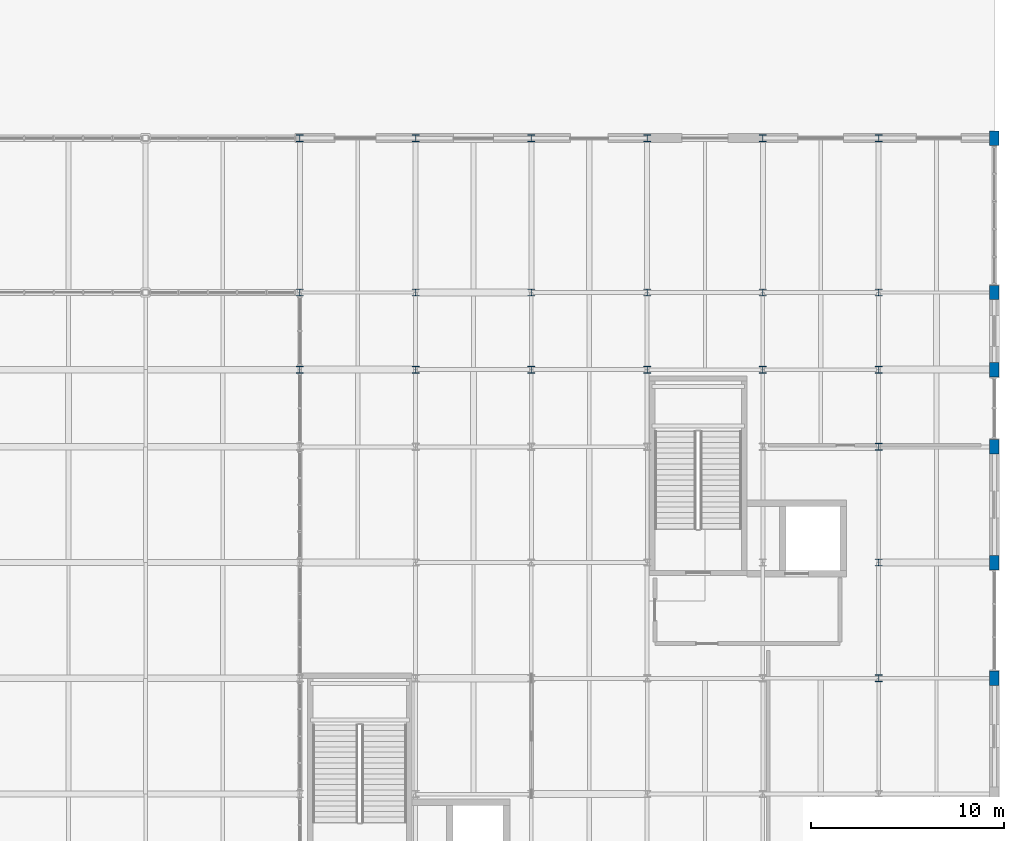
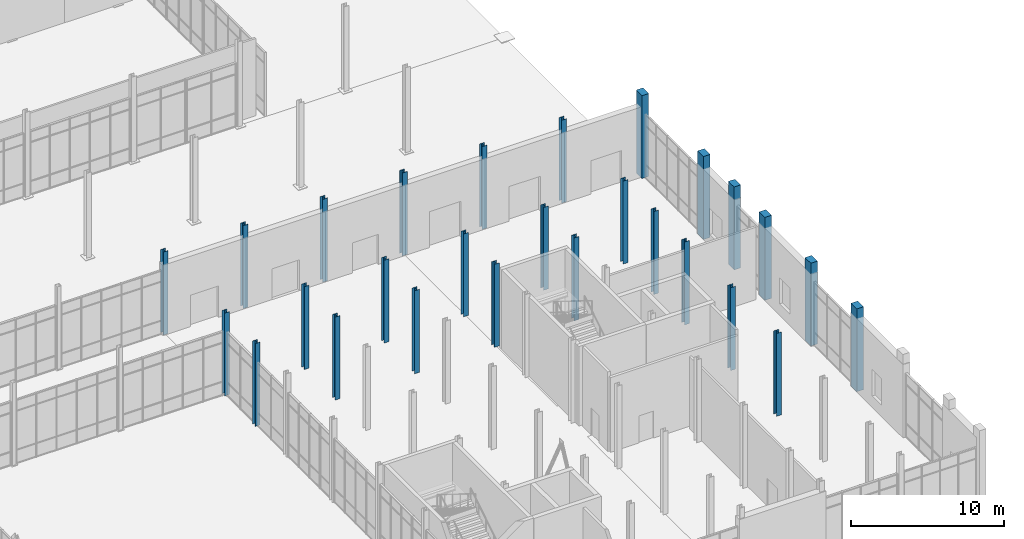
# One storey, part 18 of 140: 27 columns.
"""IFC4 building model written with IfcOpenShell, lengths in metres."""

from ifc_helpers import new_model, si_unit, direction, frame, origin, origin_2d, place, context, subcontext, project, spatial, rectangle, i_section, extrude, material, material_profile, profile_set, type_object, element, save


model = new_model("IFC4")

# Units and contexts
model_context = context("Model", 3, precision=1e-05, world=origin(), true_north=direction((0.0, 1.0)))
body_context = subcontext(model_context, "Body", "Model", "MODEL_VIEW")
ifc_project = project(units=[si_unit("LENGTHUNIT", "METRE"), si_unit("AREAUNIT", "SQUARE_METRE"), si_unit("VOLUMEUNIT", "CUBIC_METRE"), si_unit("PLANEANGLEUNIT", "RADIAN"), si_unit("MASSUNIT", "GRAM", prefix="KILO")], contexts=[model_context])

# Site, building, storey
site_placement = place(None, origin())
site = spatial("IfcSite", under=ifc_project, at=site_placement, CompositionType="ELEMENT")
building_placement = place(site_placement, origin())
building = spatial("IfcBuilding", under=site, at=building_placement, Name="Verrall Gate Interchange", CompositionType="ELEMENT")
storey_placement = place(building_placement, origin())
storey = spatial("IfcBuildingStorey", under=building, at=storey_placement, Name="L01", CompositionType="ELEMENT", Elevation=0.0)

# Columns
ifc_material_1 = material(Name="Concrete CSA A23.1 40 MPa (Class C-1)", Category="concrete")
ifc_material_profile_1 = material_profile(ifc_material_1, rectangle(XDim=0.5, YDim=0.75, at=origin_2d()), Name="RC500x750")
ifc_profile_set_1 = profile_set([ifc_material_profile_1], Name="Concrete CSA A23.1 40 MPa (Class C-1)")
column_type_1 = type_object("IfcColumnType", Name="C-05 Pilaster RC500x750", PredefinedType="PILASTER", material=ifc_profile_set_1)
for number, where, z_axis, x_axis, name in (
    (1, (168.0, 28.0, 0.0), (0.0, 0.0, 1.0), (1.0, 0.0, 0.0), "L01 Column COL-L01-1485 (C-05)"),
    (2, (168.0, 34.0, 0.0), (0.0, 0.0, 1.0), (1.0, 0.0, 0.0), "L01 Column COL-L01-1490 (C-05)"),
    (3, (168.0, 40.0, 0.0), (0.0, 0.0, 1.0), (1.0, 0.0, 0.0), "L01 Column COL-L01-1495 (C-05)"),
    (4, (168.0, 44.0, 0.0), (0.0, 0.0, 1.0), (1.0, 0.0, 0.0), "L01 Column COL-L01-1500 (C-05)"),
    (5, (168.0, 48.0, 0.0), (0.0, 0.0, 1.0), (1.0, 0.0, 0.0), "L01 Column COL-L01-1505 (C-05)"),
    (6, (168.0, 56.0, 0.0), (0.0, 0.0, 1.0), (1.0, 0.0, 0.0), "L01 Column COL-L01-1509 (C-05)"),
):
    element("IfcColumn", number, at=place(storey_placement, frame(where, z_axis=z_axis, x_axis=x_axis)), inside=storey, type_object=column_type_1, Name=name, PredefinedType="PILASTER", context=body_context, shape_type="SweptSolid", body=[
        extrude(rectangle(XDim=0.5, YDim=0.75, at=origin_2d()), origin(), (0.0, 0.0, 1.0), 6.60009765625),
    ])
ifc_material_2 = material(Name="Structural Steel CSA G40.21 350W", Category="steel")
ifc_material_profile_2 = material_profile(ifc_material_2, i_section(OverallWidth=0.368896484375, OverallDepth=0.35595703125, WebThickness=0.01123046875, FlangeThickness=0.01806640625, FilletRadius=0.014892578125, at=origin_2d()), Name="W360x134")
ifc_profile_set_2 = profile_set([ifc_material_profile_2], Name="Structural Steel CSA G40.21 350W")
column_type_2 = type_object("IfcColumnType", Name="C-08 Column W360x134", PredefinedType="COLUMN", material=ifc_profile_set_2)
for number, where, z_axis, x_axis, name in (
    (7, (132.0, 44.0, 0.0), (0.0, 0.0, 1.0), (1.0, 0.0, 0.0), "L01 Column COL-L01-1242 (C-08)"),
    (8, (132.0, 48.0, 0.0), (0.0, 0.0, 1.0), (1.0, 0.0, 0.0), "L01 Column COL-L01-1247 (C-08)"),
    (9, (132.0, 56.0, 0.0), (0.0, 0.0, 1.0), (1.0, 0.0, 0.0), "L01 Column COL-L01-1251 (C-08)"),
    (10, (138.0, 44.0, 0.0), (0.0, 0.0, 1.0), (1.0, 0.0, 0.0), "L01 Column COL-L01-1285 (C-08)"),
    (11, (138.0, 48.0, 0.0), (0.0, 0.0, 1.0), (1.0, 0.0, 0.0), "L01 Column COL-L01-1290 (C-08)"),
    (12, (138.0, 56.0, 0.0), (0.0, 0.0, 1.0), (1.0, 0.0, 0.0), "L01 Column COL-L01-1294 (C-08)"),
    (13, (144.0, 44.0, 0.0), (0.0, 0.0, 1.0), (1.0, 0.0, 0.0), "L01 Column COL-L01-1328 (C-08)"),
    (14, (144.0, 48.0, 0.0), (0.0, 0.0, 1.0), (1.0, 0.0, 0.0), "L01 Column COL-L01-1333 (C-08)"),
    (15, (144.0, 56.0, 0.0), (0.0, 0.0, 1.0), (1.0, 0.0, 0.0), "L01 Column COL-L01-1337 (C-08)"),
    (16, (150.0, 44.0, 0.0), (0.0, 0.0, 1.0), (1.0, 0.0, 0.0), "L01 Column COL-L01-1371 (C-08)"),
    (17, (150.0, 48.0, 0.0), (0.0, 0.0, 1.0), (1.0, 0.0, 0.0), "L01 Column COL-L01-1376 (C-08)"),
    (18, (150.0, 56.0, 0.0), (0.0, 0.0, 1.0), (1.0, 0.0, 0.0), "L01 Column COL-L01-1380 (C-08)"),
    (19, (156.0, 44.0, 0.0), (0.0, 0.0, 1.0), (1.0, 0.0, 0.0), "L01 Column COL-L01-1414 (C-08)"),
    (20, (156.0, 48.0, 0.0), (0.0, 0.0, 1.0), (1.0, 0.0, 0.0), "L01 Column COL-L01-1419 (C-08)"),
    (21, (156.0, 56.0, 0.0), (0.0, 0.0, 1.0), (1.0, 0.0, 0.0), "L01 Column COL-L01-1423 (C-08)"),
    (22, (162.0, 28.0, 0.0), (0.0, 0.0, 1.0), (1.0, 0.0, 0.0), "L01 Column COL-L01-1442 (C-08)"),
    (23, (162.0, 34.0, 0.0), (0.0, 0.0, 1.0), (1.0, 0.0, 0.0), "L01 Column COL-L01-1447 (C-08)"),
    (24, (162.0, 40.0, 0.0), (0.0, 0.0, 1.0), (1.0, 0.0, 0.0), "L01 Column COL-L01-1452 (C-08)"),
    (25, (162.0, 44.0, 0.0), (0.0, 0.0, 1.0), (1.0, 0.0, 0.0), "L01 Column COL-L01-1457 (C-08)"),
    (26, (162.0, 48.0, 0.0), (0.0, 0.0, 1.0), (1.0, 0.0, 0.0), "L01 Column COL-L01-1462 (C-08)"),
    (27, (162.0, 56.0, 0.0), (0.0, 0.0, 1.0), (1.0, 0.0, 0.0), "L01 Column COL-L01-1466 (C-08)"),
):
    element("IfcColumn", number, at=place(storey_placement, frame(where, z_axis=z_axis, x_axis=x_axis)), inside=storey, type_object=column_type_2, Name=name, PredefinedType="COLUMN", context=body_context, shape_type="SweptSolid", body=[
        extrude(i_section(OverallWidth=0.368896484375, OverallDepth=0.35595703125, WebThickness=0.01123046875, FlangeThickness=0.01806640625, FilletRadius=0.014892578125, at=origin_2d()), origin(), (0.0, 0.0, 1.0), 6.60009765625),
    ])

save(model, "model.ifc")
